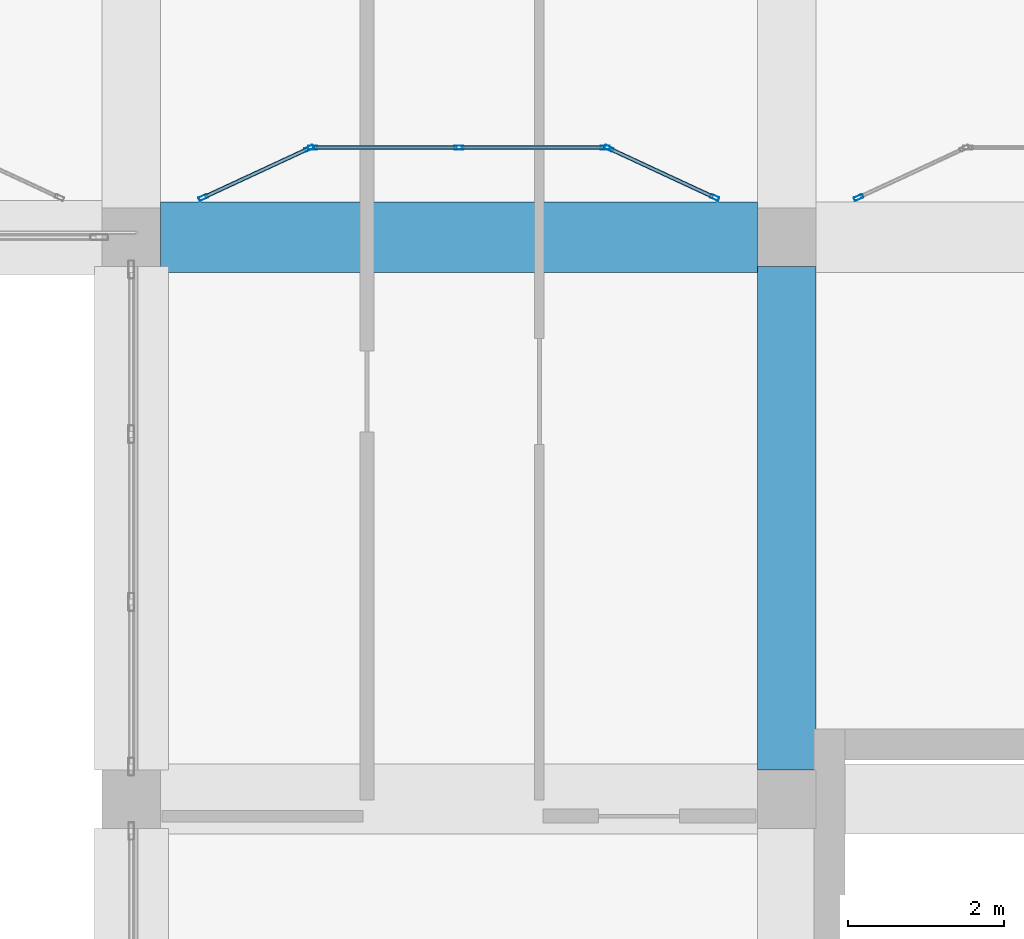
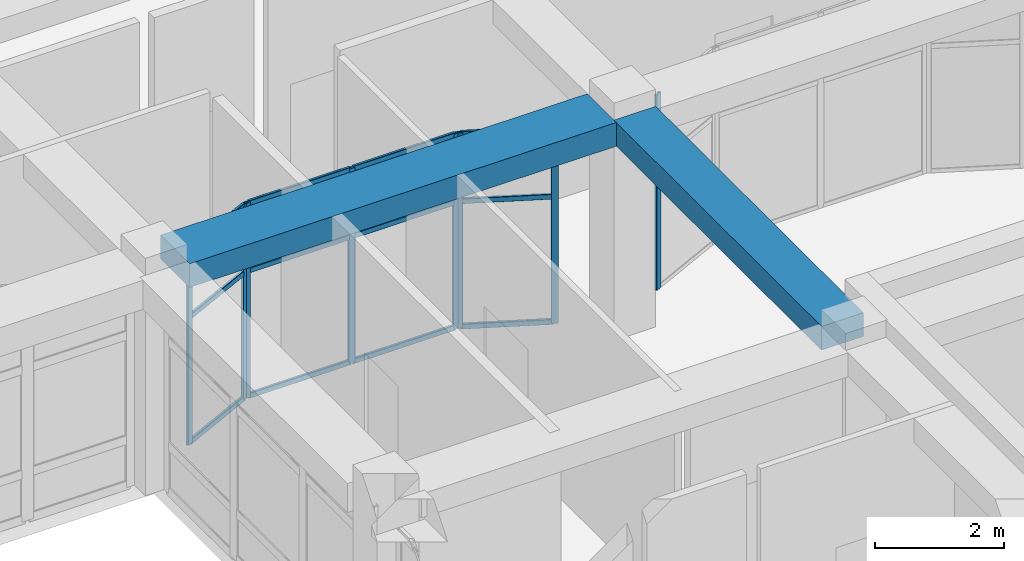
# One storey, part 21 of 121: 20 members, 2 beams, 4 elements without a shape of their own.
"""IFC4 building model written with IfcOpenShell, lengths in metres."""

from ifc_helpers import new_model, si_unit, derived_unit, direction, frame, origin, origin_2d, place, context, subcontext, project, spatial, rectangle, hollow_rectangle, extrude, material, material_profile, profile_set, type_object, element, aggregate, save


model = new_model("IFC4")

# Units and contexts
model_context = context("Model", 3, precision=1e-05, world=origin(), true_north=direction((0.0, 1.0)))
body_context = subcontext(model_context, "Body", "Model", "MODEL_VIEW")
ifc_project = project(units=[si_unit("LENGTHUNIT", "METRE"), si_unit("AREAUNIT", "SQUARE_METRE"), si_unit("VOLUMEUNIT", "CUBIC_METRE"), si_unit("PLANEANGLEUNIT", "RADIAN"), si_unit("MASSUNIT", "GRAM", prefix="KILO"), derived_unit("THERMALTRANSMITTANCEUNIT", [(si_unit("POWERUNIT", "WATT"), 1), (si_unit("LENGTHUNIT", "METRE"), -2), (si_unit("THERMODYNAMICTEMPERATUREUNIT", "KELVIN"), -1)])], contexts=[model_context])

# Site, building, storey
site_placement = place(None, origin())
site = spatial("IfcSite", under=ifc_project, at=site_placement, CompositionType="ELEMENT")
building_placement = place(site_placement, origin())
building = spatial("IfcBuilding", under=site, at=building_placement, Name="Veybourne Emporium", CompositionType="ELEMENT")
storey_placement = place(building_placement, frame((0.0, 0.0, 5.39990234375)))
storey = spatial("IfcBuildingStorey", under=building, at=storey_placement, Name="L01", CompositionType="ELEMENT", Elevation=5.39990234375)

# Curtain wall, members
ifc_material_1 = material(Name="Patinated Architectural Bronze", Category="bronze")
curtain_wall_type_1 = type_object("IfcCurtainWallType", Name="CWSystem_CWI-03", PredefinedType="NOTDEFINED", material=ifc_material_1)
curtain_wall_1_placement = place(storey_placement, origin())
curtain_wall_1 = element("IfcCurtainWall", 1, at=curtain_wall_1_placement, inside=storey, type_object=curtain_wall_type_1, Name="Arcade bow-front boutique shopfront L01 bay 8 facet 1", PredefinedType="NOTDEFINED")
ifc_material_profile_1 = material_profile(ifc_material_1, hollow_rectangle(XDim=0.050048828125, YDim=0.1201171875, WallThickness=0.00390625, InnerFilletRadius=0.006103515625, OuterFilletRadius=0.010009765625, at=origin_2d()), Name="CWM 50x120x4")
ifc_profile_set_1 = profile_set([ifc_material_profile_1], Name="Patinated Architectural Bronze")
member_type_1 = type_object("IfcMemberType", Name="CWMullion_CW-M5", PredefinedType="MULLION", material=ifc_profile_set_1)
member_1_placement = place(storey_placement, frame((68.12255859375, 22.110595703125, 0.0), z_axis=(0.0, 0.0, 1.0), x_axis=(-0.421111306453, 0.907008967749, 0.0)))
member_1 = element("IfcMember", 2, at=member_1_placement, type_object=member_type_1, Name="CWI-03 mullion 1", PredefinedType="MULLION", context=body_context, shape_type="SweptSolid", body=[
    extrude(hollow_rectangle(XDim=0.050048828125, YDim=0.1201171875, WallThickness=0.00390625, InnerFilletRadius=0.006103515625, OuterFilletRadius=0.010009765625, at=origin_2d()), origin(), (0.0, 0.0, 1.0), 3.7001953125),
])
member_2_placement = place(storey_placement, frame((69.477294921875, 22.739501953125, 0.0), z_axis=(0.0, 0.0, 1.0), x_axis=(-0.421111306453, 0.907008967749, 0.0)))
member_2 = element("IfcMember", 3, at=member_2_placement, type_object=member_type_1, Name="CWI-03 mullion 2", PredefinedType="MULLION", context=body_context, shape_type="SweptSolid", body=[
    extrude(hollow_rectangle(XDim=0.050048828125, YDim=0.1201171875, WallThickness=0.00390625, InnerFilletRadius=0.006103515625, OuterFilletRadius=0.010009765625, at=origin_2d()), origin(), (0.0, 0.0, 1.0), 3.7001953125),
])

curtain_wall_type_2 = type_object("IfcCurtainWallType", Name="CWSystem_CWI-04", PredefinedType="NOTDEFINED", material=ifc_material_1)
curtain_wall_2_placement = place(storey_placement, origin())
curtain_wall_2 = element("IfcCurtainWall", 4, at=curtain_wall_2_placement, inside=storey, type_object=curtain_wall_type_2, Name="Arcade bow-front boutique shopfront L01 bay 8 facet 2", PredefinedType="NOTDEFINED")
member_3_placement = place(storey_placement, frame((69.52490234375, 22.75, 0.0), z_axis=(0.0, 0.0, 1.0), x_axis=(0.0, 1.0, 0.0)))
member_3 = element("IfcMember", 5, at=member_3_placement, type_object=member_type_1, Name="CWI-04 mullion 1", PredefinedType="MULLION", context=body_context, shape_type="SweptSolid", body=[
    extrude(hollow_rectangle(XDim=0.050048828125, YDim=0.1201171875, WallThickness=0.00390625, InnerFilletRadius=0.006103515625, OuterFilletRadius=0.010009765625, at=origin_2d()), origin(), (0.0, 0.0, 1.0), 3.7001953125),
])
member_4_placement = place(storey_placement, frame((71.39990234375, 22.75, 0.0), z_axis=(0.0, 0.0, 1.0), x_axis=(0.0, 1.0, 0.0)))
member_4 = element("IfcMember", 6, at=member_4_placement, type_object=member_type_1, Name="CWI-04 mullion 2", PredefinedType="MULLION", context=body_context, shape_type="SweptSolid", body=[
    extrude(hollow_rectangle(XDim=0.050048828125, YDim=0.1201171875, WallThickness=0.00390625, InnerFilletRadius=0.006103515625, OuterFilletRadius=0.010009765625, at=origin_2d()), origin(), (0.0, 0.0, 1.0), 3.7001953125),
])
member_5_placement = place(storey_placement, frame((73.27490234375, 22.75, 0.0), z_axis=(0.0, 0.0, 1.0), x_axis=(0.0, 1.0, 0.0)))
member_5 = element("IfcMember", 7, at=member_5_placement, type_object=member_type_1, Name="CWI-04 mullion 3", PredefinedType="MULLION", context=body_context, shape_type="SweptSolid", body=[
    extrude(hollow_rectangle(XDim=0.050048828125, YDim=0.1201171875, WallThickness=0.00390625, InnerFilletRadius=0.006103515625, OuterFilletRadius=0.010009765625, at=origin_2d()), origin(), (0.0, 0.0, 1.0), 3.7001953125),
])

curtain_wall_type_3 = type_object("IfcCurtainWallType", Name="CWSystem_CWI-05", PredefinedType="NOTDEFINED", material=ifc_material_1)
curtain_wall_3_placement = place(storey_placement, origin())
curtain_wall_3 = element("IfcCurtainWall", 8, at=curtain_wall_3_placement, inside=storey, type_object=curtain_wall_type_3, Name="Arcade bow-front boutique shopfront L01 bay 8 facet 3", PredefinedType="NOTDEFINED")
member_6_placement = place(storey_placement, frame((73.32275390625, 22.739501953125, 0.0), z_axis=(0.0, 0.0, 1.0), x_axis=(0.421111306453, 0.907008967749, 0.0)))
member_6 = element("IfcMember", 9, at=member_6_placement, type_object=member_type_1, Name="CWI-05 mullion 1", PredefinedType="MULLION", context=body_context, shape_type="SweptSolid", body=[
    extrude(hollow_rectangle(XDim=0.050048828125, YDim=0.1201171875, WallThickness=0.00390625, InnerFilletRadius=0.006103515625, OuterFilletRadius=0.010009765625, at=origin_2d()), origin(), (0.0, 0.0, 1.0), 3.7001953125),
])
member_7_placement = place(storey_placement, frame((74.67724609375, 22.110595703125, 0.0), z_axis=(0.0, 0.0, 1.0), x_axis=(0.421111306453, 0.907008967749, 0.0)))
member_7 = element("IfcMember", 10, at=member_7_placement, type_object=member_type_1, Name="CWI-05 mullion 2", PredefinedType="MULLION", context=body_context, shape_type="SweptSolid", body=[
    extrude(hollow_rectangle(XDim=0.050048828125, YDim=0.1201171875, WallThickness=0.00390625, InnerFilletRadius=0.006103515625, OuterFilletRadius=0.010009765625, at=origin_2d()), origin(), (0.0, 0.0, 1.0), 3.7001953125),
])

# Curtain wall, member
curtain_wall_4_placement = place(storey_placement, origin())
curtain_wall_4 = element("IfcCurtainWall", 11, at=curtain_wall_4_placement, inside=storey, type_object=curtain_wall_type_2, Name="Arcade bow-front boutique shopfront L01 bay 9 facet 1", PredefinedType="NOTDEFINED")
member_8_placement = place(storey_placement, frame((76.522705078125, 22.110595703125, 0.0), z_axis=(0.0, 0.0, 1.0), x_axis=(-0.421111306453, 0.907008967749, 0.0)))
member_8 = element("IfcMember", 12, at=member_8_placement, type_object=member_type_1, Name="CWI-04 mullion 1", PredefinedType="MULLION", context=body_context, shape_type="SweptSolid", body=[
    extrude(hollow_rectangle(XDim=0.050048828125, YDim=0.1201171875, WallThickness=0.00390625, InnerFilletRadius=0.006103515625, OuterFilletRadius=0.010009765625, at=origin_2d()), origin(), (0.0, 0.0, 1.0), 3.7001953125),
])
aggregate(curtain_wall_4, [member_8])

# Member
ifc_material_profile_2 = material_profile(ifc_material_1, hollow_rectangle(XDim=0.050048828125, YDim=0.10009765625, WallThickness=0.00390625, InnerFilletRadius=0.006103515625, OuterFilletRadius=0.010009765625, at=origin_2d()), Name="CWT 50x100x4")
ifc_profile_set_2 = profile_set([ifc_material_profile_2], Name="Patinated Architectural Bronze")
member_type_2 = type_object("IfcMemberType", Name="CWTransom_CW-T5", PredefinedType="NOTDEFINED", material=ifc_profile_set_2)
member_9_placement = place(storey_placement, frame((68.145263671875, 22.12109375, 0.025146484375), z_axis=(0.907006660705, 0.421116275435, 0.0), x_axis=(-0.421116275435, 0.907006660705, 0.0)))
member_9 = element("IfcMember", 13, at=member_9_placement, type_object=member_type_2, Name="CWI-03 transom 1.1", ObjectType="TRANSOM", PredefinedType="USERDEFINED", context=body_context, shape_type="SweptSolid", body=[
    extrude(hollow_rectangle(XDim=0.050048828125, YDim=0.10009765625, WallThickness=0.00390625, InnerFilletRadius=0.006103515625, OuterFilletRadius=0.010009765625, at=origin_2d()), origin(), (0.0, 0.0, 1.0), 1.443603515625),
])

member_10_placement = place(storey_placement, frame((68.145263671875, 22.12109375, 2.400146484375), z_axis=(0.907006660705, 0.421116275435, 0.0), x_axis=(-0.421116275435, 0.907006660705, 0.0)))
member_10 = element("IfcMember", 14, at=member_10_placement, type_object=member_type_2, Name="CWI-03 transom 1.2", ObjectType="TRANSOM", PredefinedType="USERDEFINED", context=body_context, shape_type="SweptSolid", body=[
    extrude(hollow_rectangle(XDim=0.050048828125, YDim=0.10009765625, WallThickness=0.00390625, InnerFilletRadius=0.006103515625, OuterFilletRadius=0.010009765625, at=origin_2d()), origin(), (0.0, 0.0, 1.0), 1.443603515625),
])

member_11_placement = place(storey_placement, frame((68.145263671875, 22.12109375, 3.675048828125), z_axis=(0.907006660705, 0.421116275435, 0.0), x_axis=(-0.421116275435, 0.907006660705, 0.0)))
member_11 = element("IfcMember", 15, at=member_11_placement, type_object=member_type_2, Name="CWI-03 transom 1.3", ObjectType="TRANSOM", PredefinedType="USERDEFINED", context=body_context, shape_type="SweptSolid", body=[
    extrude(hollow_rectangle(XDim=0.050048828125, YDim=0.10009765625, WallThickness=0.00390625, InnerFilletRadius=0.006103515625, OuterFilletRadius=0.010009765625, at=origin_2d()), origin(), (0.0, 0.0, 1.0), 1.443603515625),
])

aggregate(curtain_wall_1, [member_1, member_2, member_9, member_10, member_11])

member_12_placement = place(storey_placement, frame((69.550048828125, 22.75, 0.025146484375), z_axis=(1.0, 0.0, 0.0), x_axis=(0.0, 1.0, 0.0)))
member_12 = element("IfcMember", 16, at=member_12_placement, type_object=member_type_2, Name="CWI-04 transom 1.1", ObjectType="TRANSOM", PredefinedType="USERDEFINED", context=body_context, shape_type="SweptSolid", body=[
    extrude(hollow_rectangle(XDim=0.050048828125, YDim=0.10009765625, WallThickness=0.00390625, InnerFilletRadius=0.006103515625, OuterFilletRadius=0.010009765625, at=origin_2d()), origin(), (0.0, 0.0, 1.0), 1.824951171875),
])

member_13_placement = place(storey_placement, frame((69.550048828125, 22.75, 2.400146484375), z_axis=(1.0, 0.0, 0.0), x_axis=(0.0, 1.0, 0.0)))
member_13 = element("IfcMember", 17, at=member_13_placement, type_object=member_type_2, Name="CWI-04 transom 1.2", ObjectType="TRANSOM", PredefinedType="USERDEFINED", context=body_context, shape_type="SweptSolid", body=[
    extrude(hollow_rectangle(XDim=0.050048828125, YDim=0.10009765625, WallThickness=0.00390625, InnerFilletRadius=0.006103515625, OuterFilletRadius=0.010009765625, at=origin_2d()), origin(), (0.0, 0.0, 1.0), 1.824951171875),
])

member_14_placement = place(storey_placement, frame((69.550048828125, 22.75, 3.675048828125), z_axis=(1.0, 0.0, 0.0), x_axis=(0.0, 1.0, 0.0)))
member_14 = element("IfcMember", 18, at=member_14_placement, type_object=member_type_2, Name="CWI-04 transom 1.3", ObjectType="TRANSOM", PredefinedType="USERDEFINED", context=body_context, shape_type="SweptSolid", body=[
    extrude(hollow_rectangle(XDim=0.050048828125, YDim=0.10009765625, WallThickness=0.00390625, InnerFilletRadius=0.006103515625, OuterFilletRadius=0.010009765625, at=origin_2d()), origin(), (0.0, 0.0, 1.0), 1.824951171875),
])

member_15_placement = place(storey_placement, frame((71.425048828125, 22.75, 0.025146484375), z_axis=(1.0, 0.0, 0.0), x_axis=(0.0, 1.0, 0.0)))
member_15 = element("IfcMember", 19, at=member_15_placement, type_object=member_type_2, Name="CWI-04 transom 2.1", ObjectType="TRANSOM", PredefinedType="USERDEFINED", context=body_context, shape_type="SweptSolid", body=[
    extrude(hollow_rectangle(XDim=0.050048828125, YDim=0.10009765625, WallThickness=0.00390625, InnerFilletRadius=0.006103515625, OuterFilletRadius=0.010009765625, at=origin_2d()), origin(), (0.0, 0.0, 1.0), 1.824951171875),
])

member_16_placement = place(storey_placement, frame((71.425048828125, 22.75, 2.400146484375), z_axis=(1.0, 0.0, 0.0), x_axis=(0.0, 1.0, 0.0)))
member_16 = element("IfcMember", 20, at=member_16_placement, type_object=member_type_2, Name="CWI-04 transom 2.2", ObjectType="TRANSOM", PredefinedType="USERDEFINED", context=body_context, shape_type="SweptSolid", body=[
    extrude(hollow_rectangle(XDim=0.050048828125, YDim=0.10009765625, WallThickness=0.00390625, InnerFilletRadius=0.006103515625, OuterFilletRadius=0.010009765625, at=origin_2d()), origin(), (0.0, 0.0, 1.0), 1.824951171875),
])

member_17_placement = place(storey_placement, frame((71.425048828125, 22.75, 3.675048828125), z_axis=(1.0, 0.0, 0.0), x_axis=(0.0, 1.0, 0.0)))
member_17 = element("IfcMember", 21, at=member_17_placement, type_object=member_type_2, Name="CWI-04 transom 2.3", ObjectType="TRANSOM", PredefinedType="USERDEFINED", context=body_context, shape_type="SweptSolid", body=[
    extrude(hollow_rectangle(XDim=0.050048828125, YDim=0.10009765625, WallThickness=0.00390625, InnerFilletRadius=0.006103515625, OuterFilletRadius=0.010009765625, at=origin_2d()), origin(), (0.0, 0.0, 1.0), 1.824951171875),
])

aggregate(curtain_wall_2, [member_3, member_4, member_5, member_12, member_13, member_14, member_15, member_16, member_17])

member_18_placement = place(storey_placement, frame((73.345458984375, 22.72900390625, 0.025146484375), z_axis=(0.906976661713, -0.421180881698, 0.0), x_axis=(0.421180881698, 0.906976661713, 0.0)))
member_18 = element("IfcMember", 22, at=member_18_placement, type_object=member_type_2, Name="CWI-05 transom 1.1", ObjectType="TRANSOM", PredefinedType="USERDEFINED", context=body_context, shape_type="SweptSolid", body=[
    extrude(hollow_rectangle(XDim=0.050048828125, YDim=0.10009765625, WallThickness=0.00390625, InnerFilletRadius=0.006103515625, OuterFilletRadius=0.010009765625, at=origin_2d()), origin(), (0.0, 0.0, 1.0), 1.443359375),
])

member_19_placement = place(storey_placement, frame((73.345458984375, 22.72900390625, 2.400146484375), z_axis=(0.906976661713, -0.421180881698, 0.0), x_axis=(0.421180881698, 0.906976661713, 0.0)))
member_19 = element("IfcMember", 23, at=member_19_placement, type_object=member_type_2, Name="CWI-05 transom 1.2", ObjectType="TRANSOM", PredefinedType="USERDEFINED", context=body_context, shape_type="SweptSolid", body=[
    extrude(hollow_rectangle(XDim=0.050048828125, YDim=0.10009765625, WallThickness=0.00390625, InnerFilletRadius=0.006103515625, OuterFilletRadius=0.010009765625, at=origin_2d()), origin(), (0.0, 0.0, 1.0), 1.443359375),
])

member_20_placement = place(storey_placement, frame((73.345458984375, 22.72900390625, 3.675048828125), z_axis=(0.906976661713, -0.421180881698, 0.0), x_axis=(0.421180881698, 0.906976661713, 0.0)))
member_20 = element("IfcMember", 24, at=member_20_placement, type_object=member_type_2, Name="CWI-05 transom 1.3", ObjectType="TRANSOM", PredefinedType="USERDEFINED", context=body_context, shape_type="SweptSolid", body=[
    extrude(hollow_rectangle(XDim=0.050048828125, YDim=0.10009765625, WallThickness=0.00390625, InnerFilletRadius=0.006103515625, OuterFilletRadius=0.010009765625, at=origin_2d()), origin(), (0.0, 0.0, 1.0), 1.443359375),
])

aggregate(curtain_wall_3, [member_6, member_7, member_18, member_19, member_20])

# Beams
ifc_material_2 = material(Name="Concrete C32/40", Category="concrete")
ifc_material_profile_3 = material_profile(ifc_material_2, rectangle(XDim=0.89990234375, YDim=0.449951171875, at=origin_2d()), Name="RC 900x450")
ifc_profile_set_3 = profile_set([ifc_material_profile_3], Name="Concrete C32/40")
beam_type_1 = type_object("IfcBeamType", Name="RCBeam_BB-03", PredefinedType="BEAM", material=ifc_profile_set_3)
beam_1_placement = place(storey_placement, frame((67.574951171875, 21.60009765625, 3.955078125), z_axis=(1.0, 0.0, 0.0), x_axis=(0.0, 1.0, 0.0)))
element("IfcBeam", 25, at=beam_1_placement, inside=storey, type_object=beam_type_1, Name="L01 X-grid beam BB-03 (8,3)", PredefinedType="BEAM", context=body_context, shape_type="SweptSolid", body=[
    extrude(rectangle(XDim=0.89990234375, YDim=0.449951171875, at=origin_2d()), origin(), (0.0, 0.0, 1.0), 7.650146484375),
])
ifc_material_profile_4 = material_profile(ifc_material_2, rectangle(XDim=0.75, YDim=0.449951171875, at=origin_2d()), Name="RC 750x450")
ifc_profile_set_4 = profile_set([ifc_material_profile_4], Name="Concrete C32/40")
beam_type_2 = type_object("IfcBeamType", Name="RCBeam_BB-04", PredefinedType="BEAM", material=ifc_profile_set_4)
beam_2_placement = place(storey_placement, frame((75.60009765625, 14.77490234375, 3.955078125), z_axis=(0.0, 1.0, 0.0), x_axis=(-1.0, 0.0, 0.0)))
element("IfcBeam", 26, at=beam_2_placement, inside=storey, type_object=beam_type_2, Name="L01 Y-grid beam BB-04 (9,2)", PredefinedType="BEAM", context=body_context, shape_type="SweptSolid", body=[
    extrude(rectangle(XDim=0.75, YDim=0.449951171875, at=origin_2d()), origin(), (0.0, 0.0, 1.0), 6.4501953125),
])

save(model, "model.ifc")
